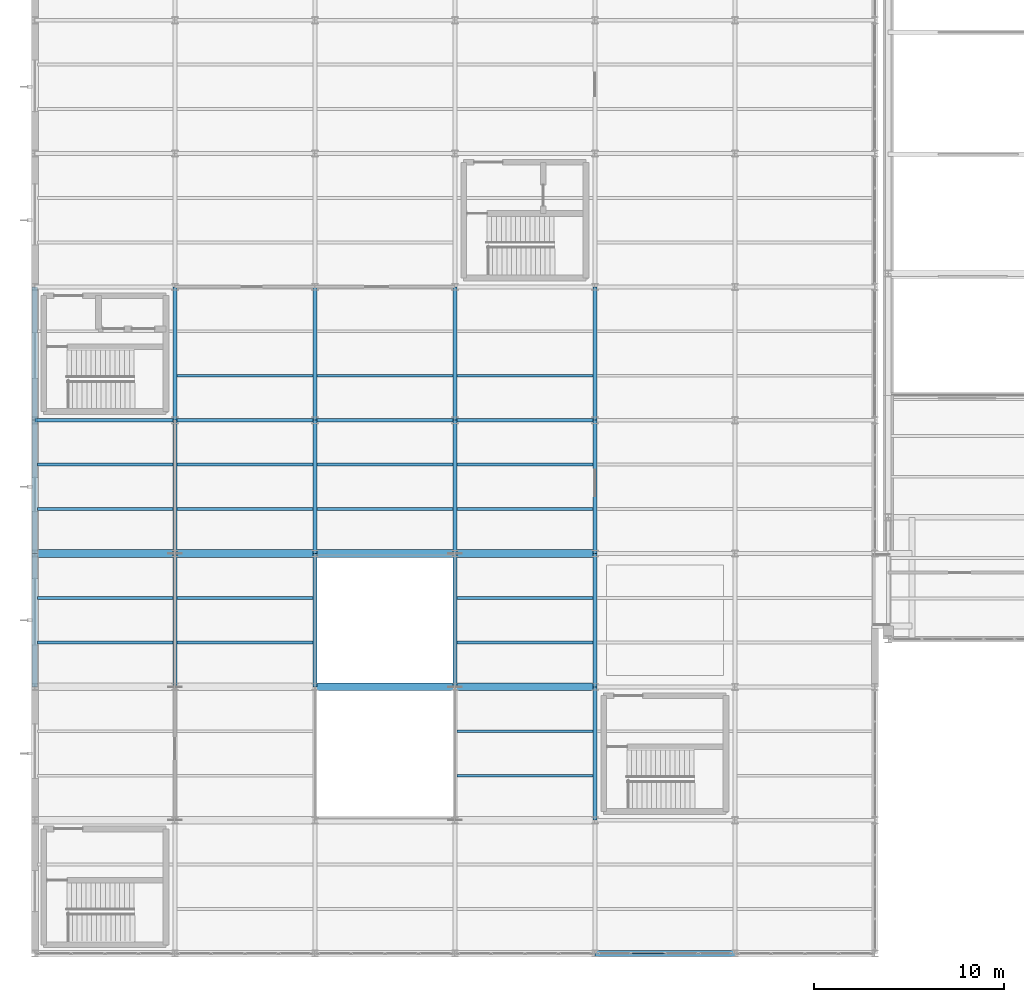
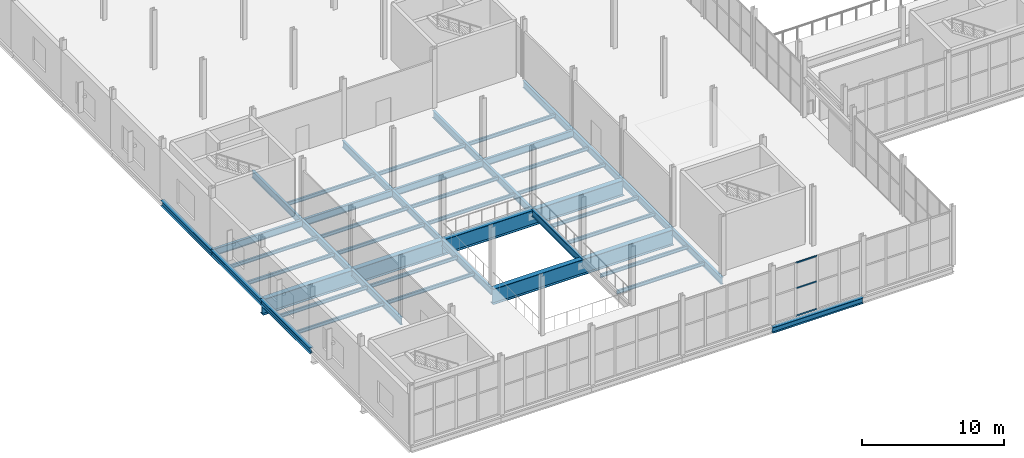
# One storey, part 38 of 218: 43 beams, 3 members, 1 element without a shape of its own.
"""IFC4 building model written with IfcOpenShell, lengths in metres."""

from ifc_helpers import new_model, si_unit, direction, frame, origin, origin_2d, place, context, subcontext, project, spatial, hollow_rectangle, i_section, extrude, material, material_profile, profile_set, type_object, element, aggregate, save


model = new_model("IFC4")

# Units and contexts
model_context = context("Model", 3, precision=1e-05, world=origin(), true_north=direction((0.0, 1.0)))
body_context = subcontext(model_context, "Body", "Model", "MODEL_VIEW")
ifc_project = project(units=[si_unit("LENGTHUNIT", "METRE"), si_unit("AREAUNIT", "SQUARE_METRE"), si_unit("VOLUMEUNIT", "CUBIC_METRE"), si_unit("PLANEANGLEUNIT", "RADIAN"), si_unit("MASSUNIT", "GRAM", prefix="KILO")], contexts=[model_context])

# Site, building, storey
site_placement = place(None, origin())
site = spatial("IfcSite", under=ifc_project, at=site_placement, CompositionType="ELEMENT")
building_placement = place(site_placement, origin())
building = spatial("IfcBuilding", under=site, at=building_placement, Name="Kazenagashi Tramway Depot", CompositionType="ELEMENT")
storey_placement = place(building_placement, frame((0.0, 0.0, 6.0)))
storey = spatial("IfcBuildingStorey", under=building, at=storey_placement, Name="L02", CompositionType="ELEMENT", Elevation=6.0)

# Beams
ifc_material_1 = material(Name="Steel SN490B", Category="steel")
ifc_material_profile_1 = material_profile(ifc_material_1, i_section(OverallWidth=0.2, OverallDepth=0.6, WebThickness=0.011, FlangeThickness=0.017, at=origin_2d()), Name="H-600x200x11x17")
ifc_profile_set_1 = profile_set([ifc_material_profile_1], Name="Steel SN490B")
beam_type_1 = type_object("IfcBeamType", Name="G-03", PredefinedType="BEAM", material=ifc_profile_set_1)
for number, where, z_axis, x_axis, name in (
    (1, (0.0, 28.0, -0.55), (1.0, 0.0, 0.0), (0.0, 1.0, 0.0), "Beam G-03 BM-0019"),
    (2, (7.35, 28.0, -0.55), (1.0, 0.0, 0.0), (0.0, 1.0, 0.0), "Beam G-03 BM-0020"),
    (3, (14.7, 28.0, -0.55), (1.0, 0.0, 0.0), (0.0, 1.0, 0.0), "Beam G-03 BM-0021"),
    (4, (22.05, 28.0, -0.55), (1.0, 0.0, 0.0), (0.0, 1.0, 0.0), "Beam G-03 BM-0022"),
):
    element("IfcBeam", number, at=place(storey_placement, frame(where, z_axis=z_axis, x_axis=x_axis)), inside=storey, type_object=beam_type_1, Name=name, PredefinedType="BEAM", context=body_context, shape_type="SweptSolid", body=[
        extrude(i_section(OverallWidth=0.2, OverallDepth=0.6, WebThickness=0.011, FlangeThickness=0.017, at=origin_2d()), origin(), (0.0, 0.0, 1.0), 7.35),
    ])
for number, where, z_axis, x_axis, name in (
    (5, (7.35, 14.0, -0.55), (0.0, 1.0, 0.0), (-1.0, 0.0, 0.0), "Beam G-03 BM-0086"),
    (6, (7.35, 21.0, -0.55), (0.0, 1.0, 0.0), (-1.0, 0.0, 0.0), "Beam G-03 BM-0089"),
    (7, (7.35, 28.0, -0.55), (0.0, 1.0, 0.0), (-1.0, 0.0, 0.0), "Beam G-03 BM-0092"),
    (8, (14.7, 14.0, -0.55), (0.0, 1.0, 0.0), (-1.0, 0.0, 0.0), "Beam G-03 BM-0111"),
    (9, (14.7, 21.0, -0.55), (0.0, 1.0, 0.0), (-1.0, 0.0, 0.0), "Beam G-03 BM-0112"),
    (10, (14.7, 28.0, -0.55), (0.0, 1.0, 0.0), (-1.0, 0.0, 0.0), "Beam G-03 BM-0115"),
    (11, (22.05, 14.0, -0.55), (0.0, 1.0, 0.0), (-1.0, 0.0, 0.0), "Beam G-03 BM-0136"),
    (12, (22.05, 21.0, -0.55), (0.0, 1.0, 0.0), (-1.0, 0.0, 0.0), "Beam G-03 BM-0139"),
    (13, (22.05, 28.0, -0.55), (0.0, 1.0, 0.0), (-1.0, 0.0, 0.0), "Beam G-03 BM-0142"),
    (14, (29.4, 7.0, -0.55), (0.0, 1.0, 0.0), (-1.0, 0.0, 0.0), "Beam G-03 BM-0159"),
    (15, (29.4, 14.0, -0.55), (0.0, 1.0, 0.0), (-1.0, 0.0, 0.0), "Beam G-03 BM-0161"),
    (16, (29.4, 21.0, -0.55), (0.0, 1.0, 0.0), (-1.0, 0.0, 0.0), "Beam G-03 BM-0164"),
    (17, (29.4, 28.0, -0.55), (0.0, 1.0, 0.0), (-1.0, 0.0, 0.0), "Beam G-03 BM-0167"),
):
    element("IfcBeam", number, at=place(storey_placement, frame(where, z_axis=z_axis, x_axis=x_axis)), inside=storey, type_object=beam_type_1, Name=name, PredefinedType="BEAM", context=body_context, shape_type="SweptSolid", body=[
        extrude(i_section(OverallWidth=0.2, OverallDepth=0.6, WebThickness=0.011, FlangeThickness=0.017, at=origin_2d()), origin(), (0.0, 0.0, 1.0), 7.0),
    ])
ifc_material_2 = material(Name="Steel SN400B", Category="steel")
ifc_material_profile_2 = material_profile(ifc_material_2, i_section(OverallWidth=0.15, OverallDepth=0.3, WebThickness=0.0065, FlangeThickness=0.009, at=origin_2d()), Name="H-300x150x6.5x9")
ifc_profile_set_2 = profile_set([ifc_material_profile_2], Name="Steel SN400B")
beam_type_2 = type_object("IfcBeamType", Name="J-02", PredefinedType="JOIST", material=ifc_profile_set_2)
for number, where, z_axis, x_axis, name in (
    (18, (0.15, 16.333, -0.4), (1.0, 0.0, 0.0), (0.0, 1.0, 0.0), "Beam J-02 BM-0061"),
    (19, (0.15, 18.667, -0.4), (1.0, 0.0, 0.0), (0.0, 1.0, 0.0), "Beam J-02 BM-0062"),
    (20, (0.15, 23.333, -0.4), (1.0, 0.0, 0.0), (0.0, 1.0, 0.0), "Beam J-02 BM-0064"),
    (21, (0.15, 25.667, -0.4), (1.0, 0.0, 0.0), (0.0, 1.0, 0.0), "Beam J-02 BM-0065"),
):
    element("IfcBeam", number, at=place(storey_placement, frame(where, z_axis=z_axis, x_axis=x_axis)), inside=storey, type_object=beam_type_2, Name=name, PredefinedType="JOIST", context=body_context, shape_type="SweptSolid", body=[
        extrude(i_section(OverallWidth=0.15, OverallDepth=0.3, WebThickness=0.0065, FlangeThickness=0.009, at=origin_2d()), origin(), (0.0, 0.0, 1.0), 7.1),
    ])
for number, where, z_axis, x_axis, name in (
    (22, (7.45, 16.333, -0.4), (1.0, 0.0, 0.0), (0.0, 1.0, 0.0), "Beam J-02 BM-0087"),
    (23, (7.45, 18.667, -0.4), (1.0, 0.0, 0.0), (0.0, 1.0, 0.0), "Beam J-02 BM-0088"),
    (24, (7.45, 23.333, -0.4), (1.0, 0.0, 0.0), (0.0, 1.0, 0.0), "Beam J-02 BM-0090"),
    (25, (7.45, 25.667, -0.4), (1.0, 0.0, 0.0), (0.0, 1.0, 0.0), "Beam J-02 BM-0091"),
    (26, (7.45, 30.333, -0.4), (1.0, 0.0, 0.0), (0.0, 1.0, 0.0), "Beam J-02 BM-0093"),
    (27, (14.8, 23.333, -0.4), (1.0, 0.0, 0.0), (0.0, 1.0, 0.0), "Beam J-02 BM-0113"),
    (28, (14.8, 25.667, -0.4), (1.0, 0.0, 0.0), (0.0, 1.0, 0.0), "Beam J-02 BM-0114"),
    (29, (14.8, 30.333, -0.4), (1.0, 0.0, 0.0), (0.0, 1.0, 0.0), "Beam J-02 BM-0116"),
    (30, (22.15, 9.333, -0.4), (1.0, 0.0, 0.0), (0.0, 1.0, 0.0), "Beam J-02 BM-0134"),
    (31, (22.15, 11.667, -0.4), (1.0, 0.0, 0.0), (0.0, 1.0, 0.0), "Beam J-02 BM-0135"),
    (32, (22.15, 16.333, -0.4), (1.0, 0.0, 0.0), (0.0, 1.0, 0.0), "Beam J-02 BM-0137"),
    (33, (22.15, 18.667, -0.4), (1.0, 0.0, 0.0), (0.0, 1.0, 0.0), "Beam J-02 BM-0138"),
    (34, (22.15, 23.333, -0.4), (1.0, 0.0, 0.0), (0.0, 1.0, 0.0), "Beam J-02 BM-0140"),
    (35, (22.15, 25.667, -0.4), (1.0, 0.0, 0.0), (0.0, 1.0, 0.0), "Beam J-02 BM-0141"),
    (36, (22.15, 30.333, -0.4), (1.0, 0.0, 0.0), (0.0, 1.0, 0.0), "Beam J-02 BM-0143"),
):
    element("IfcBeam", number, at=place(storey_placement, frame(where, z_axis=z_axis, x_axis=x_axis)), inside=storey, type_object=beam_type_2, Name=name, PredefinedType="JOIST", context=body_context, shape_type="SweptSolid", body=[
        extrude(i_section(OverallWidth=0.15, OverallDepth=0.3, WebThickness=0.0065, FlangeThickness=0.009, at=origin_2d()), origin(), (0.0, 0.0, 1.0), 7.15),
    ])
ifc_material_profile_3 = material_profile(ifc_material_1, i_section(OverallWidth=0.3, OverallDepth=0.488, WebThickness=0.011, FlangeThickness=0.018, at=origin_2d()), Name="H-488x300x11x18")
ifc_profile_set_3 = profile_set([ifc_material_profile_3], Name="Steel SN490B")
beam_type_3 = type_object("IfcBeamType", Name="SP-02", PredefinedType="SPANDREL", material=ifc_profile_set_3)
beam_placement = place(storey_placement, frame((29.4, 0.0, -0.494), z_axis=(1.0, 0.0, 0.0), x_axis=(0.0, 1.0, 0.0)))
element("IfcBeam", 37, at=beam_placement, inside=storey, type_object=beam_type_3, Name="Beam SP-02 BM-0011", PredefinedType="SPANDREL", context=body_context, shape_type="SweptSolid", body=[
    extrude(i_section(OverallWidth=0.3, OverallDepth=0.488, WebThickness=0.011, FlangeThickness=0.018, at=origin_2d()), origin(), (0.0, 0.0, 1.0), 7.35),
])
for number, where, z_axis, x_axis, name in (
    (38, (0.0, 14.0, -0.494), (0.0, 1.0, 0.0), (-1.0, 0.0, 0.0), "Beam SP-02 BM-0060"),
    (39, (0.0, 21.0, -0.494), (0.0, 1.0, 0.0), (-1.0, 0.0, 0.0), "Beam SP-02 BM-0063"),
    (40, (0.0, 28.0, -0.494), (0.0, 1.0, 0.0), (-1.0, 0.0, 0.0), "Beam SP-02 BM-0066"),
):
    element("IfcBeam", number, at=place(storey_placement, frame(where, z_axis=z_axis, x_axis=x_axis)), inside=storey, type_object=beam_type_3, Name=name, PredefinedType="SPANDREL", context=body_context, shape_type="SweptSolid", body=[
        extrude(i_section(OverallWidth=0.3, OverallDepth=0.488, WebThickness=0.011, FlangeThickness=0.018, at=origin_2d()), origin(), (0.0, 0.0, 1.0), 7.0),
    ])
ifc_material_profile_4 = material_profile(ifc_material_1, i_section(OverallWidth=0.4, OverallDepth=1.35, WebThickness=0.019, FlangeThickness=0.032, at=origin_2d()), Name="BH-1350x400x19x32")
ifc_profile_set_4 = profile_set([ifc_material_profile_4], Name="Steel SN490B")
beam_type_4 = type_object("IfcBeamType", Name="TG-01", PredefinedType="BEAM", material=ifc_profile_set_4)
for number, where, z_axis, x_axis, name in (
    (41, (14.7, 14.0, -0.925), (1.0, 0.0, 0.0), (0.0, 1.0, 0.0), "Transfer Girder TG-01 BM-0004"),
    (42, (0.0, 21.0, -0.925), (1.0, 0.0, 0.0), (0.0, 1.0, 0.0), "Transfer Girder TG-01 BM-0005"),
    (43, (14.7, 21.0, -0.925), (1.0, 0.0, 0.0), (0.0, 1.0, 0.0), "Transfer Girder TG-01 BM-0006"),
):
    element("IfcBeam", number, at=place(storey_placement, frame(where, z_axis=z_axis, x_axis=x_axis)), inside=storey, type_object=beam_type_4, Name=name, PredefinedType="BEAM", context=body_context, shape_type="SweptSolid", body=[
        extrude(i_section(OverallWidth=0.4, OverallDepth=1.35, WebThickness=0.019, FlangeThickness=0.032, at=origin_2d()), origin(), (0.0, 0.0, 1.0), 14.7),
    ])

# Curtain wall, members
ifc_material_3 = material(Name="Anodised Aluminium and Low-E Glazing", Category="aluminium")
curtain_wall_type = type_object("IfcCurtainWallType", Name="CW-25", PredefinedType="USERDEFINED", material=ifc_material_3)
curtain_wall_placement = place(storey_placement, origin())
curtain_wall = element("IfcCurtainWall", 44, at=curtain_wall_placement, inside=storey, type_object=curtain_wall_type, Name="Industrial Glazed Screen CW-25 CW-0141", ObjectType="GLAZED SCREEN", PredefinedType="USERDEFINED")
ifc_material_4 = material(Name="Anodised Aluminium", Category="aluminium")
ifc_material_profile_5 = material_profile(ifc_material_4, hollow_rectangle(XDim=0.06, YDim=0.12, WallThickness=0.004, at=origin_2d()), Name="RHS-120x60x4")
ifc_profile_set_5 = profile_set([ifc_material_profile_5], Name="Anodised Aluminium")
member_type = type_object("IfcMemberType", Name="TR-01", PredefinedType="USERDEFINED", material=ifc_profile_set_5)
member_1_placement = place(storey_placement, frame((31.3375, 0.0, 0.03), z_axis=(1.0, 0.0, 0.0), x_axis=(0.0, 1.0, 0.0)))
member_1 = element("IfcMember", 45, at=member_1_placement, type_object=member_type, Name="CW-25 transom 2.1", ObjectType="TRANSOM", PredefinedType="USERDEFINED", context=body_context, shape_type="SweptSolid", body=[
    extrude(hollow_rectangle(XDim=0.06, YDim=0.12, WallThickness=0.004, at=origin_2d()), origin(), (0.0, 0.0, 1.0), 1.7075),
])
member_2_placement = place(storey_placement, frame((31.3375, 0.0, 2.392), z_axis=(1.0, 0.0, 0.0), x_axis=(0.0, 1.0, 0.0)))
member_2 = element("IfcMember", 46, at=member_2_placement, type_object=member_type, Name="CW-25 transom 2.2", ObjectType="TRANSOM", PredefinedType="USERDEFINED", context=body_context, shape_type="SweptSolid", body=[
    extrude(hollow_rectangle(XDim=0.06, YDim=0.12, WallThickness=0.004, at=origin_2d()), origin(), (0.0, 0.0, 1.0), 1.7075),
])
member_3_placement = place(storey_placement, frame((31.3375, 0.0, 4.57), z_axis=(1.0, 0.0, 0.0), x_axis=(0.0, 1.0, 0.0)))
member_3 = element("IfcMember", 47, at=member_3_placement, type_object=member_type, Name="CW-25 transom 2.3", ObjectType="TRANSOM", PredefinedType="USERDEFINED", context=body_context, shape_type="SweptSolid", body=[
    extrude(hollow_rectangle(XDim=0.06, YDim=0.12, WallThickness=0.004, at=origin_2d()), origin(), (0.0, 0.0, 1.0), 1.7075),
])
aggregate(curtain_wall, [member_1, member_2, member_3])

save(model, "model.ifc")
